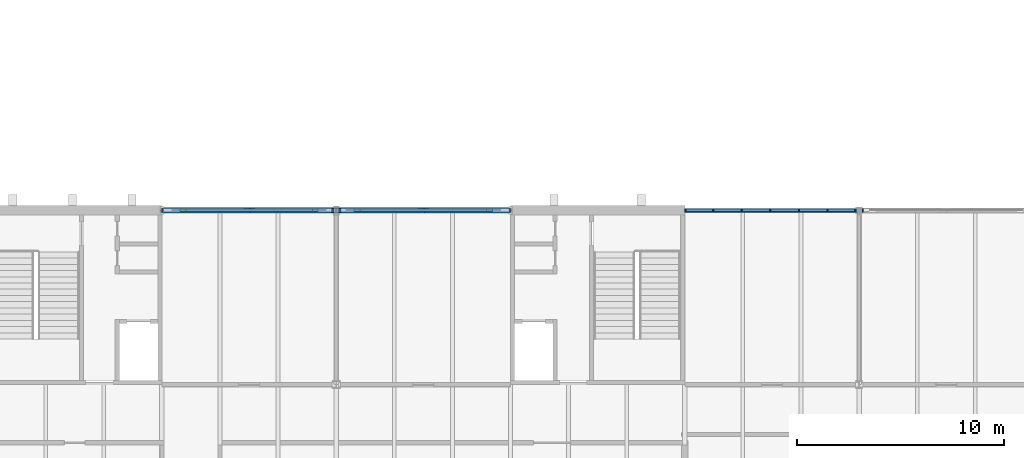
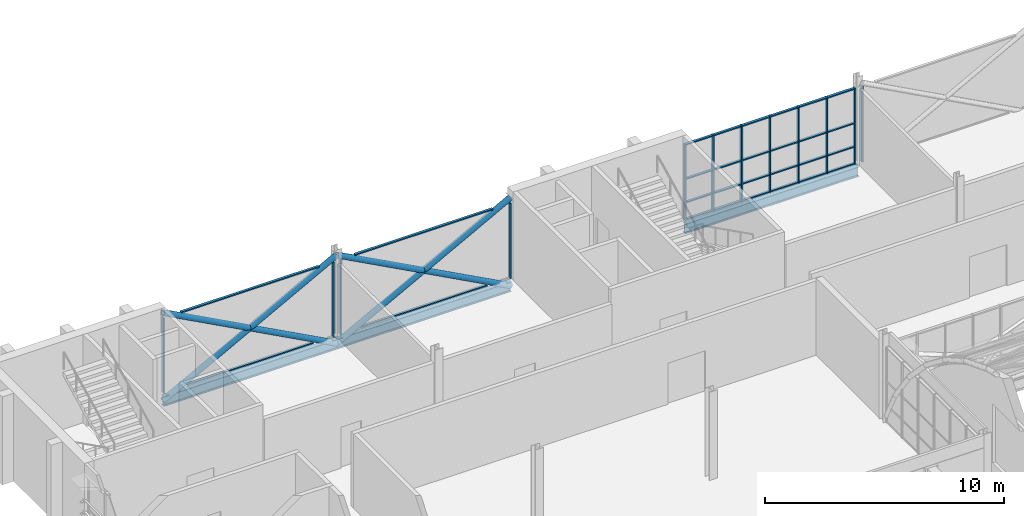
# One storey, part 60 of 121: 46 members, 3 beams, 4 elements without a shape of their own.
"""IFC4 building model written with IfcOpenShell, lengths in metres."""

from ifc_helpers import new_model, si_unit, direction, frame, origin, origin_2d, place, context, subcontext, project, spatial, rectangle, hollow_circle, i_section, extrude, material, layer, layer_set, material_profile, profile_set, type_object, element, aggregate, save


model = new_model("IFC4")

# Units and contexts
model_context = context("Model", 3, precision=1e-05, world=origin(), true_north=direction((0.0, 1.0)))
body_context = subcontext(model_context, "Body", "Model", "MODEL_VIEW")
ifc_project = project(units=[si_unit("LENGTHUNIT", "METRE"), si_unit("AREAUNIT", "SQUARE_METRE"), si_unit("VOLUMEUNIT", "CUBIC_METRE"), si_unit("PLANEANGLEUNIT", "RADIAN"), si_unit("MASSUNIT", "GRAM", prefix="KILO")], contexts=[model_context])

# Site, building, storey
site_placement = place(None, origin())
site = spatial("IfcSite", under=ifc_project, at=site_placement, CompositionType="ELEMENT")
building_placement = place(site_placement, origin())
building = spatial("IfcBuilding", under=site, at=building_placement, Name="Ardhachandra Cancer Care Centre", CompositionType="ELEMENT")
storey_placement = place(building_placement, frame((0.0, 0.0, 9.0)))
storey = spatial("IfcBuildingStorey", under=building, at=storey_placement, Name="L02", CompositionType="ELEMENT", Elevation=9.0)

# Beams
ifc_material_1 = material(Name="Steel E350 (IS 2062)", Category="steel")
ifc_material_profile_1 = material_profile(ifc_material_1, i_section(OverallWidth=0.199951171875, OverallDepth=0.5, WebThickness=0.01025390625, FlangeThickness=0.01611328125, FilletRadius=0.02099609375, at=origin_2d()), Name="NPB 500x200x90.68")
ifc_profile_set_1 = profile_set([ifc_material_profile_1], Name="Steel E350 (IS 2062)")
beam_type = type_object("IfcBeamType", Name="Beam NPB 500x200x90.68", PredefinedType="BEAM", material=ifc_profile_set_1)
beam_1_placement = place(storey_placement, frame((19.199951171875, 96.60009765625, -0.39990234375), z_axis=(1.0, 0.0, 0.0), x_axis=(0.0, 1.0, 0.0)))
element("IfcBeam", 1, at=beam_1_placement, inside=storey, type_object=beam_type, Name="Edge girder L2-L3", PredefinedType="BEAM", context=body_context, shape_type="SweptSolid", body=[
    extrude(i_section(OverallWidth=0.199951171875, OverallDepth=0.5, WebThickness=0.01025390625, FlangeThickness=0.01611328125, FilletRadius=0.02099609375, at=origin_2d()), origin(), (0.0, 0.0, 1.0), 8.400146484375),
])
beam_2_placement = place(storey_placement, frame((27.60009765625, 96.60009765625, -0.39990234375), z_axis=(1.0, 0.0, 0.0), x_axis=(0.0, 1.0, 0.0)))
element("IfcBeam", 2, at=beam_2_placement, inside=storey, type_object=beam_type, Name="Edge girder L3-L4", PredefinedType="BEAM", context=body_context, shape_type="SweptSolid", body=[
    extrude(i_section(OverallWidth=0.199951171875, OverallDepth=0.5, WebThickness=0.01025390625, FlangeThickness=0.01611328125, FilletRadius=0.02099609375, at=origin_2d()), origin(), (0.0, 0.0, 1.0), 8.39990234375),
])
beam_3_placement = place(storey_placement, frame((44.39990234375, 96.60009765625, -0.39990234375), z_axis=(1.0, 0.0, 0.0), x_axis=(0.0, 1.0, 0.0)))
element("IfcBeam", 3, at=beam_3_placement, inside=storey, type_object=beam_type, Name="Edge girder L5-L6", PredefinedType="BEAM", context=body_context, shape_type="SweptSolid", body=[
    extrude(i_section(OverallWidth=0.199951171875, OverallDepth=0.5, WebThickness=0.01025390625, FlangeThickness=0.01611328125, FilletRadius=0.02099609375, at=origin_2d()), origin(), (0.0, 0.0, 1.0), 8.400146484375),
])

# Members
ifc_material_2 = material(Name="Steel E350 (IS 2062)", Category="steel")
ifc_material_profile_2 = material_profile(ifc_material_2, hollow_circle(Radius=0.136474609375, WallThickness=0.012451171875, at=origin_2d()), Name="CHS 273x12.5")
ifc_profile_set_2 = profile_set([ifc_material_profile_2], Name="Steel E350 (IS 2062)")
member_type_1 = type_object("IfcMemberType", Name="Brace CHS 273x12.5", PredefinedType="BRACE", material=ifc_profile_set_2)
member_1_placement = place(storey_placement, frame((19.199951171875, 96.60009765625, -0.39990234375), z_axis=(0.881483397762, 0.0, 0.472215014025), x_axis=(0.0, 1.0, 0.0)))
element("IfcMember", 4, at=member_1_placement, inside=storey, type_object=member_type_1, Name="Brace V6-X966-192 L02 A", PredefinedType="BRACE", context=body_context, shape_type="SweptSolid", body=[
    extrude(hollow_circle(Radius=0.136474609375, WallThickness=0.012451171875, at=origin_2d()), origin(), (0.0, 0.0, 1.0), 9.529541015625),
])
member_2_placement = place(storey_placement, frame((27.60009765625, 96.60009765625, -0.39990234375), z_axis=(-0.881489110341, 0.0, 0.472204350203), x_axis=(0.0, -1.0, 0.0)))
element("IfcMember", 5, at=member_2_placement, inside=storey, type_object=member_type_1, Name="Brace V6-X966-192 L02 B1", PredefinedType="BRACE", context=body_context, shape_type="SweptSolid", body=[
    extrude(hollow_circle(Radius=0.136474609375, WallThickness=0.012451171875, at=origin_2d()), origin(), (0.0, 0.0, 1.0), 4.764892578125),
])
member_3_placement = place(storey_placement, frame((23.39990234375, 96.60009765625, 1.85009765625), z_axis=(-0.881477684796, 0.0, 0.472225678258), x_axis=(0.0, -1.0, 0.0)))
element("IfcMember", 6, at=member_3_placement, inside=storey, type_object=member_type_1, Name="Brace V6-X966-192 L02 B2", PredefinedType="BRACE", context=body_context, shape_type="SweptSolid", body=[
    extrude(hollow_circle(Radius=0.136474609375, WallThickness=0.012451171875, at=origin_2d()), origin(), (0.0, 0.0, 1.0), 4.7646484375),
])
member_4_placement = place(storey_placement, frame((27.60009765625, 96.60009765625, -0.39990234375), z_axis=(0.881477684796, 0.0, 0.472225678258), x_axis=(0.0, 1.0, 0.0)))
element("IfcMember", 7, at=member_4_placement, inside=storey, type_object=member_type_1, Name="Brace V6-X966-276 L02 A", PredefinedType="BRACE", context=body_context, shape_type="SweptSolid", body=[
    extrude(hollow_circle(Radius=0.136474609375, WallThickness=0.012451171875, at=origin_2d()), origin(), (0.0, 0.0, 1.0), 9.529296875),
])
for number, where, z_axis, x_axis, name in (
    (8, (36.0, 96.60009765625, -0.39990234375), (-0.881477684796, 0.0, 0.472225678258), (0.0, -1.0, 0.0), "Brace V6-X966-276 L02 B1"),
    (9, (31.800048828125, 96.60009765625, 1.85009765625), (-0.881477684796, 0.0, 0.472225678258), (0.0, -1.0, 0.0), "Brace V6-X966-276 L02 B2"),
):
    element("IfcMember", number, at=place(storey_placement, frame(where, z_axis=z_axis, x_axis=x_axis)), inside=storey, type_object=member_type_1, Name=name, PredefinedType="BRACE", context=body_context, shape_type="SweptSolid", body=[
        extrude(hollow_circle(Radius=0.136474609375, WallThickness=0.012451171875, at=origin_2d()), origin(), (0.0, 0.0, 1.0), 4.7646484375),
    ])

# Curtain wall, members
ifc_material_3 = material(Name="Aluminium extrusion", Category="aluminium")
ifc_layer = layer(ifc_material_3, 0.14990234375)
ifc_layer_set = layer_set([ifc_layer], Name="Aluminium extrusion")
curtain_wall_type = type_object("IfcCurtainWallType", Name="Curtain wall run", PredefinedType="NOTDEFINED", material=ifc_layer_set)
curtain_wall_1_placement = place(storey_placement, origin())
curtain_wall_1 = element("IfcCurtainWall", 10, at=curtain_wall_1_placement, inside=storey, type_object=curtain_wall_type, Name="Curtain wall L02 n/0019200_0096600", PredefinedType="NOTDEFINED")
ifc_material_4 = material(Name="Aluminium extrusion", Category="aluminium")
ifc_material_profile_3 = material_profile(ifc_material_4, rectangle(XDim=0.159912109375, YDim=0.06005859375, at=origin_2d()), Name="Curtain wall mullion 60 x 160")
ifc_profile_set_3 = profile_set([ifc_material_profile_3], Name="Aluminium extrusion")
member_type_2 = type_object("IfcMemberType", Name="Curtain wall mullion 60 x 160", PredefinedType="MULLION", material=ifc_profile_set_3)
member_5_placement = place(storey_placement, frame((19.22998046875, 96.60009765625, 0.0), z_axis=(0.0, 0.0, 1.0), x_axis=(0.0, 1.0, 0.0)))
member_5 = element("IfcMember", 11, at=member_5_placement, type_object=member_type_2, Name="CW mullion 1", PredefinedType="MULLION", context=body_context, shape_type="SweptSolid", body=[
    extrude(rectangle(XDim=0.159912109375, YDim=0.06005859375, at=origin_2d()), origin(), (0.0, 0.0, 1.0), 3.85009765625),
])
member_6_placement = place(storey_placement, frame((27.419921875, 96.60009765625, 0.0), z_axis=(0.0, 0.0, 1.0), x_axis=(0.0, 1.0, 0.0)))
member_6 = element("IfcMember", 12, at=member_6_placement, type_object=member_type_2, Name="CW mullion 2", PredefinedType="MULLION", context=body_context, shape_type="SweptSolid", body=[
    extrude(rectangle(XDim=0.159912109375, YDim=0.06005859375, at=origin_2d()), origin(), (0.0, 0.0, 1.0), 3.8310546875),
])

curtain_wall_2_placement = place(storey_placement, origin())
curtain_wall_2 = element("IfcCurtainWall", 13, at=curtain_wall_2_placement, inside=storey, type_object=curtain_wall_type, Name="Curtain wall L02 n/0027600_0096600", PredefinedType="NOTDEFINED")
member_7_placement = place(storey_placement, frame((27.780029296875, 96.60009765625, 0.0), z_axis=(0.0, 0.0, 1.0), x_axis=(0.0, 1.0, 0.0)))
member_7 = element("IfcMember", 14, at=member_7_placement, type_object=member_type_2, Name="CW mullion 1", PredefinedType="MULLION", context=body_context, shape_type="SweptSolid", body=[
    extrude(rectangle(XDim=0.159912109375, YDim=0.06005859375, at=origin_2d()), origin(), (0.0, 0.0, 1.0), 3.8310546875),
])
member_8_placement = place(storey_placement, frame((35.969970703125, 96.60009765625, 0.0), z_axis=(0.0, 0.0, 1.0), x_axis=(0.0, 1.0, 0.0)))
member_8 = element("IfcMember", 15, at=member_8_placement, type_object=member_type_2, Name="CW mullion 2", PredefinedType="MULLION", context=body_context, shape_type="SweptSolid", body=[
    extrude(rectangle(XDim=0.159912109375, YDim=0.06005859375, at=origin_2d()), origin(), (0.0, 0.0, 1.0), 3.85009765625),
])

curtain_wall_3_placement = place(storey_placement, origin())
curtain_wall_3 = element("IfcCurtainWall", 16, at=curtain_wall_3_placement, inside=storey, type_object=curtain_wall_type, Name="Curtain wall L02 n/0044400_0096600", PredefinedType="NOTDEFINED")
member_9_placement = place(storey_placement, frame((44.429931640625, 96.60009765625, 0.0), z_axis=(0.0, 0.0, 1.0), x_axis=(0.0, 1.0, 0.0)))
member_9 = element("IfcMember", 17, at=member_9_placement, type_object=member_type_2, Name="CW mullion 1", PredefinedType="MULLION", context=body_context, shape_type="SweptSolid", body=[
    extrude(rectangle(XDim=0.159912109375, YDim=0.06005859375, at=origin_2d()), origin(), (0.0, 0.0, 1.0), 3.885986328125),
])
member_10_placement = place(storey_placement, frame((45.77490234375, 96.60009765625, 0.0), z_axis=(0.0, 0.0, 1.0), x_axis=(0.0, 1.0, 0.0)))
member_10 = element("IfcMember", 18, at=member_10_placement, type_object=member_type_2, Name="CW mullion 2", PredefinedType="MULLION", context=body_context, shape_type="SweptSolid", body=[
    extrude(rectangle(XDim=0.159912109375, YDim=0.06005859375, at=origin_2d()), origin(), (0.0, 0.0, 1.0), 3.885986328125),
])
member_11_placement = place(storey_placement, frame((47.14990234375, 96.60009765625, 0.0), z_axis=(0.0, 0.0, 1.0), x_axis=(0.0, 1.0, 0.0)))
member_11 = element("IfcMember", 19, at=member_11_placement, type_object=member_type_2, Name="CW mullion 3", PredefinedType="MULLION", context=body_context, shape_type="SweptSolid", body=[
    extrude(rectangle(XDim=0.159912109375, YDim=0.06005859375, at=origin_2d()), origin(), (0.0, 0.0, 1.0), 3.885986328125),
])
member_12_placement = place(storey_placement, frame((48.52490234375, 96.60009765625, 0.0), z_axis=(0.0, 0.0, 1.0), x_axis=(0.0, 1.0, 0.0)))
member_12 = element("IfcMember", 20, at=member_12_placement, type_object=member_type_2, Name="CW mullion 4", PredefinedType="MULLION", context=body_context, shape_type="SweptSolid", body=[
    extrude(rectangle(XDim=0.159912109375, YDim=0.06005859375, at=origin_2d()), origin(), (0.0, 0.0, 1.0), 3.885986328125),
])
member_13_placement = place(storey_placement, frame((49.89990234375, 96.60009765625, 0.0), z_axis=(0.0, 0.0, 1.0), x_axis=(0.0, 1.0, 0.0)))
member_13 = element("IfcMember", 21, at=member_13_placement, type_object=member_type_2, Name="CW mullion 5", PredefinedType="MULLION", context=body_context, shape_type="SweptSolid", body=[
    extrude(rectangle(XDim=0.159912109375, YDim=0.06005859375, at=origin_2d()), origin(), (0.0, 0.0, 1.0), 3.885986328125),
])
member_14_placement = place(storey_placement, frame((51.27490234375, 96.60009765625, 0.0), z_axis=(0.0, 0.0, 1.0), x_axis=(0.0, 1.0, 0.0)))
member_14 = element("IfcMember", 22, at=member_14_placement, type_object=member_type_2, Name="CW mullion 6", PredefinedType="MULLION", context=body_context, shape_type="SweptSolid", body=[
    extrude(rectangle(XDim=0.159912109375, YDim=0.06005859375, at=origin_2d()), origin(), (0.0, 0.0, 1.0), 3.885986328125),
])
member_15_placement = place(storey_placement, frame((52.6201171875, 96.60009765625, 0.0), z_axis=(0.0, 0.0, 1.0), x_axis=(0.0, 1.0, 0.0)))
member_15 = element("IfcMember", 23, at=member_15_placement, type_object=member_type_2, Name="CW mullion 7", PredefinedType="MULLION", context=body_context, shape_type="SweptSolid", body=[
    extrude(rectangle(XDim=0.159912109375, YDim=0.06005859375, at=origin_2d()), origin(), (0.0, 0.0, 1.0), 3.885986328125),
])

# Curtain wall, member
curtain_wall_4_placement = place(storey_placement, origin())
curtain_wall_4 = element("IfcCurtainWall", 24, at=curtain_wall_4_placement, inside=storey, type_object=curtain_wall_type, Name="Curtain wall L02 n/0052800_0096600", PredefinedType="NOTDEFINED")
member_16_placement = place(storey_placement, frame((52.97998046875, 96.60009765625, 0.0), z_axis=(0.0, 0.0, 1.0), x_axis=(0.0, 1.0, 0.0)))
member_16 = element("IfcMember", 25, at=member_16_placement, type_object=member_type_2, Name="CW mullion 1", PredefinedType="MULLION", context=body_context, shape_type="SweptSolid", body=[
    extrude(rectangle(XDim=0.159912109375, YDim=0.06005859375, at=origin_2d()), origin(), (0.0, 0.0, 1.0), 3.864990234375),
])
aggregate(curtain_wall_4, [member_16])

# Member
ifc_material_5 = material(Name="Aluminium extrusion", Category="aluminium")
ifc_material_profile_4 = material_profile(ifc_material_5, rectangle(XDim=0.1201171875, YDim=0.06005859375, at=origin_2d()), Name="Curtain wall transom 60 x 120")
ifc_profile_set_4 = profile_set([ifc_material_profile_4], Name="Aluminium extrusion")
member_type_3 = type_object("IfcMemberType", Name="Curtain wall transom 60 x 120", PredefinedType="USERDEFINED", material=ifc_profile_set_4)
member_17_placement = place(storey_placement, frame((20.350830078125, 96.60009765625, 0.030029296875), z_axis=(1.0, 0.0, 0.0), x_axis=(0.0, 1.0, 0.0)))
member_17 = element("IfcMember", 26, at=member_17_placement, type_object=member_type_3, Name="CW transom 1.1", ObjectType="TRANSOM", PredefinedType="USERDEFINED", context=body_context, shape_type="SweptSolid", body=[
    extrude(rectangle(XDim=0.1201171875, YDim=0.06005859375, at=origin_2d()), origin(), (0.0, 0.0, 1.0), 6.099365234375),
])

member_18_placement = place(storey_placement, frame((20.06982421875, 96.60009765625, 3.820068359375), z_axis=(1.0, 0.0, 0.0), x_axis=(0.0, 1.0, 0.0)))
member_18 = element("IfcMember", 27, at=member_18_placement, type_object=member_type_3, Name="CW transom 1.2", ObjectType="TRANSOM", PredefinedType="USERDEFINED", context=body_context, shape_type="SweptSolid", body=[
    extrude(rectangle(XDim=0.1201171875, YDim=0.06005859375, at=origin_2d()), origin(), (0.0, 0.0, 1.0), 6.660400390625),
])

aggregate(curtain_wall_1, [member_5, member_6, member_17, member_18])

member_19_placement = place(storey_placement, frame((28.749755859375, 96.60009765625, 0.030029296875), z_axis=(1.0, 0.0, 0.0), x_axis=(0.0, 1.0, 0.0)))
member_19 = element("IfcMember", 28, at=member_19_placement, type_object=member_type_3, Name="CW transom 1.1", ObjectType="TRANSOM", PredefinedType="USERDEFINED", context=body_context, shape_type="SweptSolid", body=[
    extrude(rectangle(XDim=0.1201171875, YDim=0.06005859375, at=origin_2d()), origin(), (0.0, 0.0, 1.0), 6.100341796875),
])

member_20_placement = place(storey_placement, frame((28.4697265625, 96.60009765625, 3.820068359375), z_axis=(1.0, 0.0, 0.0), x_axis=(0.0, 1.0, 0.0)))
member_20 = element("IfcMember", 29, at=member_20_placement, type_object=member_type_3, Name="CW transom 1.2", ObjectType="TRANSOM", PredefinedType="USERDEFINED", context=body_context, shape_type="SweptSolid", body=[
    extrude(rectangle(XDim=0.1201171875, YDim=0.06005859375, at=origin_2d()), origin(), (0.0, 0.0, 1.0), 6.660400390625),
])

aggregate(curtain_wall_2, [member_7, member_8, member_19, member_20])

member_21_placement = place(storey_placement, frame((44.4599609375, 96.60009765625, 0.030029296875), z_axis=(1.0, 0.0, 0.0), x_axis=(0.0, 1.0, 0.0)))
member_21 = element("IfcMember", 30, at=member_21_placement, type_object=member_type_3, Name="CW transom 1.1", ObjectType="TRANSOM", PredefinedType="USERDEFINED", context=body_context, shape_type="SweptSolid", body=[
    extrude(rectangle(XDim=0.1201171875, YDim=0.06005859375, at=origin_2d()), origin(), (0.0, 0.0, 1.0), 1.28515625),
])

member_22_placement = place(storey_placement, frame((44.4599609375, 96.60009765625, 0.89990234375), z_axis=(1.0, 0.0, 0.0), x_axis=(0.0, 1.0, 0.0)))
member_22 = element("IfcMember", 31, at=member_22_placement, type_object=member_type_3, Name="CW transom 1.2", ObjectType="TRANSOM", PredefinedType="USERDEFINED", context=body_context, shape_type="SweptSolid", body=[
    extrude(rectangle(XDim=0.1201171875, YDim=0.06005859375, at=origin_2d()), origin(), (0.0, 0.0, 1.0), 1.28515625),
])

member_23_placement = place(storey_placement, frame((44.4599609375, 96.60009765625, 2.10009765625), z_axis=(1.0, 0.0, 0.0), x_axis=(0.0, 1.0, 0.0)))
member_23 = element("IfcMember", 32, at=member_23_placement, type_object=member_type_3, Name="CW transom 1.3", ObjectType="TRANSOM", PredefinedType="USERDEFINED", context=body_context, shape_type="SweptSolid", body=[
    extrude(rectangle(XDim=0.1201171875, YDim=0.06005859375, at=origin_2d()), origin(), (0.0, 0.0, 1.0), 1.28515625),
])

member_24_placement = place(storey_placement, frame((44.4599609375, 96.60009765625, 3.85595703125), z_axis=(1.0, 0.0, 0.0), x_axis=(0.0, 1.0, 0.0)))
member_24 = element("IfcMember", 33, at=member_24_placement, type_object=member_type_3, Name="CW transom 1.4", ObjectType="TRANSOM", PredefinedType="USERDEFINED", context=body_context, shape_type="SweptSolid", body=[
    extrude(rectangle(XDim=0.1201171875, YDim=0.06005859375, at=origin_2d()), origin(), (0.0, 0.0, 1.0), 1.28515625),
])

member_25_placement = place(storey_placement, frame((45.804931640625, 96.60009765625, 0.030029296875), z_axis=(1.0, 0.0, 0.0), x_axis=(0.0, 1.0, 0.0)))
member_25 = element("IfcMember", 34, at=member_25_placement, type_object=member_type_3, Name="CW transom 2.1", ObjectType="TRANSOM", PredefinedType="USERDEFINED", context=body_context, shape_type="SweptSolid", body=[
    extrude(rectangle(XDim=0.1201171875, YDim=0.06005859375, at=origin_2d()), origin(), (0.0, 0.0, 1.0), 1.315185546875),
])

member_26_placement = place(storey_placement, frame((45.804931640625, 96.60009765625, 0.89990234375), z_axis=(1.0, 0.0, 0.0), x_axis=(0.0, 1.0, 0.0)))
member_26 = element("IfcMember", 35, at=member_26_placement, type_object=member_type_3, Name="CW transom 2.2", ObjectType="TRANSOM", PredefinedType="USERDEFINED", context=body_context, shape_type="SweptSolid", body=[
    extrude(rectangle(XDim=0.1201171875, YDim=0.06005859375, at=origin_2d()), origin(), (0.0, 0.0, 1.0), 1.315185546875),
])

member_27_placement = place(storey_placement, frame((45.804931640625, 96.60009765625, 2.10009765625), z_axis=(1.0, 0.0, 0.0), x_axis=(0.0, 1.0, 0.0)))
member_27 = element("IfcMember", 36, at=member_27_placement, type_object=member_type_3, Name="CW transom 2.3", ObjectType="TRANSOM", PredefinedType="USERDEFINED", context=body_context, shape_type="SweptSolid", body=[
    extrude(rectangle(XDim=0.1201171875, YDim=0.06005859375, at=origin_2d()), origin(), (0.0, 0.0, 1.0), 1.315185546875),
])

member_28_placement = place(storey_placement, frame((45.804931640625, 96.60009765625, 3.85595703125), z_axis=(1.0, 0.0, 0.0), x_axis=(0.0, 1.0, 0.0)))
member_28 = element("IfcMember", 37, at=member_28_placement, type_object=member_type_3, Name="CW transom 2.4", ObjectType="TRANSOM", PredefinedType="USERDEFINED", context=body_context, shape_type="SweptSolid", body=[
    extrude(rectangle(XDim=0.1201171875, YDim=0.06005859375, at=origin_2d()), origin(), (0.0, 0.0, 1.0), 1.315185546875),
])

member_29_placement = place(storey_placement, frame((47.179931640625, 96.60009765625, 0.030029296875), z_axis=(1.0, 0.0, 0.0), x_axis=(0.0, 1.0, 0.0)))
member_29 = element("IfcMember", 38, at=member_29_placement, type_object=member_type_3, Name="CW transom 3.1", ObjectType="TRANSOM", PredefinedType="USERDEFINED", context=body_context, shape_type="SweptSolid", body=[
    extrude(rectangle(XDim=0.1201171875, YDim=0.06005859375, at=origin_2d()), origin(), (0.0, 0.0, 1.0), 1.315185546875),
])

member_30_placement = place(storey_placement, frame((47.179931640625, 96.60009765625, 0.89990234375), z_axis=(1.0, 0.0, 0.0), x_axis=(0.0, 1.0, 0.0)))
member_30 = element("IfcMember", 39, at=member_30_placement, type_object=member_type_3, Name="CW transom 3.2", ObjectType="TRANSOM", PredefinedType="USERDEFINED", context=body_context, shape_type="SweptSolid", body=[
    extrude(rectangle(XDim=0.1201171875, YDim=0.06005859375, at=origin_2d()), origin(), (0.0, 0.0, 1.0), 1.315185546875),
])

member_31_placement = place(storey_placement, frame((47.179931640625, 96.60009765625, 2.10009765625), z_axis=(1.0, 0.0, 0.0), x_axis=(0.0, 1.0, 0.0)))
member_31 = element("IfcMember", 40, at=member_31_placement, type_object=member_type_3, Name="CW transom 3.3", ObjectType="TRANSOM", PredefinedType="USERDEFINED", context=body_context, shape_type="SweptSolid", body=[
    extrude(rectangle(XDim=0.1201171875, YDim=0.06005859375, at=origin_2d()), origin(), (0.0, 0.0, 1.0), 1.315185546875),
])

member_32_placement = place(storey_placement, frame((47.179931640625, 96.60009765625, 3.85595703125), z_axis=(1.0, 0.0, 0.0), x_axis=(0.0, 1.0, 0.0)))
member_32 = element("IfcMember", 41, at=member_32_placement, type_object=member_type_3, Name="CW transom 3.4", ObjectType="TRANSOM", PredefinedType="USERDEFINED", context=body_context, shape_type="SweptSolid", body=[
    extrude(rectangle(XDim=0.1201171875, YDim=0.06005859375, at=origin_2d()), origin(), (0.0, 0.0, 1.0), 1.315185546875),
])

member_33_placement = place(storey_placement, frame((48.554931640625, 96.60009765625, 0.030029296875), z_axis=(1.0, 0.0, 0.0), x_axis=(0.0, 1.0, 0.0)))
member_33 = element("IfcMember", 42, at=member_33_placement, type_object=member_type_3, Name="CW transom 4.1", ObjectType="TRANSOM", PredefinedType="USERDEFINED", context=body_context, shape_type="SweptSolid", body=[
    extrude(rectangle(XDim=0.1201171875, YDim=0.06005859375, at=origin_2d()), origin(), (0.0, 0.0, 1.0), 1.315185546875),
])

member_34_placement = place(storey_placement, frame((48.554931640625, 96.60009765625, 0.89990234375), z_axis=(1.0, 0.0, 0.0), x_axis=(0.0, 1.0, 0.0)))
member_34 = element("IfcMember", 43, at=member_34_placement, type_object=member_type_3, Name="CW transom 4.2", ObjectType="TRANSOM", PredefinedType="USERDEFINED", context=body_context, shape_type="SweptSolid", body=[
    extrude(rectangle(XDim=0.1201171875, YDim=0.06005859375, at=origin_2d()), origin(), (0.0, 0.0, 1.0), 1.315185546875),
])

member_35_placement = place(storey_placement, frame((48.554931640625, 96.60009765625, 2.10009765625), z_axis=(1.0, 0.0, 0.0), x_axis=(0.0, 1.0, 0.0)))
member_35 = element("IfcMember", 44, at=member_35_placement, type_object=member_type_3, Name="CW transom 4.3", ObjectType="TRANSOM", PredefinedType="USERDEFINED", context=body_context, shape_type="SweptSolid", body=[
    extrude(rectangle(XDim=0.1201171875, YDim=0.06005859375, at=origin_2d()), origin(), (0.0, 0.0, 1.0), 1.315185546875),
])

member_36_placement = place(storey_placement, frame((48.554931640625, 96.60009765625, 3.85595703125), z_axis=(1.0, 0.0, 0.0), x_axis=(0.0, 1.0, 0.0)))
member_36 = element("IfcMember", 45, at=member_36_placement, type_object=member_type_3, Name="CW transom 4.4", ObjectType="TRANSOM", PredefinedType="USERDEFINED", context=body_context, shape_type="SweptSolid", body=[
    extrude(rectangle(XDim=0.1201171875, YDim=0.06005859375, at=origin_2d()), origin(), (0.0, 0.0, 1.0), 1.315185546875),
])

member_37_placement = place(storey_placement, frame((49.929931640625, 96.60009765625, 0.030029296875), z_axis=(1.0, 0.0, 0.0), x_axis=(0.0, 1.0, 0.0)))
member_37 = element("IfcMember", 46, at=member_37_placement, type_object=member_type_3, Name="CW transom 5.1", ObjectType="TRANSOM", PredefinedType="USERDEFINED", context=body_context, shape_type="SweptSolid", body=[
    extrude(rectangle(XDim=0.1201171875, YDim=0.06005859375, at=origin_2d()), origin(), (0.0, 0.0, 1.0), 1.315185546875),
])

member_38_placement = place(storey_placement, frame((49.929931640625, 96.60009765625, 0.89990234375), z_axis=(1.0, 0.0, 0.0), x_axis=(0.0, 1.0, 0.0)))
member_38 = element("IfcMember", 47, at=member_38_placement, type_object=member_type_3, Name="CW transom 5.2", ObjectType="TRANSOM", PredefinedType="USERDEFINED", context=body_context, shape_type="SweptSolid", body=[
    extrude(rectangle(XDim=0.1201171875, YDim=0.06005859375, at=origin_2d()), origin(), (0.0, 0.0, 1.0), 1.315185546875),
])

member_39_placement = place(storey_placement, frame((49.929931640625, 96.60009765625, 2.10009765625), z_axis=(1.0, 0.0, 0.0), x_axis=(0.0, 1.0, 0.0)))
member_39 = element("IfcMember", 48, at=member_39_placement, type_object=member_type_3, Name="CW transom 5.3", ObjectType="TRANSOM", PredefinedType="USERDEFINED", context=body_context, shape_type="SweptSolid", body=[
    extrude(rectangle(XDim=0.1201171875, YDim=0.06005859375, at=origin_2d()), origin(), (0.0, 0.0, 1.0), 1.315185546875),
])

member_40_placement = place(storey_placement, frame((49.929931640625, 96.60009765625, 3.85595703125), z_axis=(1.0, 0.0, 0.0), x_axis=(0.0, 1.0, 0.0)))
member_40 = element("IfcMember", 49, at=member_40_placement, type_object=member_type_3, Name="CW transom 5.4", ObjectType="TRANSOM", PredefinedType="USERDEFINED", context=body_context, shape_type="SweptSolid", body=[
    extrude(rectangle(XDim=0.1201171875, YDim=0.06005859375, at=origin_2d()), origin(), (0.0, 0.0, 1.0), 1.315185546875),
])

member_41_placement = place(storey_placement, frame((51.304931640625, 96.60009765625, 0.030029296875), z_axis=(1.0, 0.0, 0.0), x_axis=(0.0, 1.0, 0.0)))
member_41 = element("IfcMember", 50, at=member_41_placement, type_object=member_type_3, Name="CW transom 6.1", ObjectType="TRANSOM", PredefinedType="USERDEFINED", context=body_context, shape_type="SweptSolid", body=[
    extrude(rectangle(XDim=0.1201171875, YDim=0.06005859375, at=origin_2d()), origin(), (0.0, 0.0, 1.0), 1.28515625),
])

member_42_placement = place(storey_placement, frame((51.304931640625, 96.60009765625, 0.89990234375), z_axis=(1.0, 0.0, 0.0), x_axis=(0.0, 1.0, 0.0)))
member_42 = element("IfcMember", 51, at=member_42_placement, type_object=member_type_3, Name="CW transom 6.2", ObjectType="TRANSOM", PredefinedType="USERDEFINED", context=body_context, shape_type="SweptSolid", body=[
    extrude(rectangle(XDim=0.1201171875, YDim=0.06005859375, at=origin_2d()), origin(), (0.0, 0.0, 1.0), 1.28515625),
])

member_43_placement = place(storey_placement, frame((51.304931640625, 96.60009765625, 2.10009765625), z_axis=(1.0, 0.0, 0.0), x_axis=(0.0, 1.0, 0.0)))
member_43 = element("IfcMember", 52, at=member_43_placement, type_object=member_type_3, Name="CW transom 6.3", ObjectType="TRANSOM", PredefinedType="USERDEFINED", context=body_context, shape_type="SweptSolid", body=[
    extrude(rectangle(XDim=0.1201171875, YDim=0.06005859375, at=origin_2d()), origin(), (0.0, 0.0, 1.0), 1.28515625),
])

member_44_placement = place(storey_placement, frame((51.304931640625, 96.60009765625, 3.85595703125), z_axis=(1.0, 0.0, 0.0), x_axis=(0.0, 1.0, 0.0)))
member_44 = element("IfcMember", 53, at=member_44_placement, type_object=member_type_3, Name="CW transom 6.4", ObjectType="TRANSOM", PredefinedType="USERDEFINED", context=body_context, shape_type="SweptSolid", body=[
    extrude(rectangle(XDim=0.1201171875, YDim=0.06005859375, at=origin_2d()), origin(), (0.0, 0.0, 1.0), 1.28515625),
])

aggregate(curtain_wall_3, [member_9, member_10, member_11, member_12, member_13, member_14, member_15, member_21, member_22, member_23, member_24, member_25, member_26, member_27, member_28, member_29, member_30, member_31, member_32, member_33, member_34, member_35, member_36, member_37, member_38, member_39, member_40, member_41, member_42, member_43, member_44])

save(model, "model.ifc")
